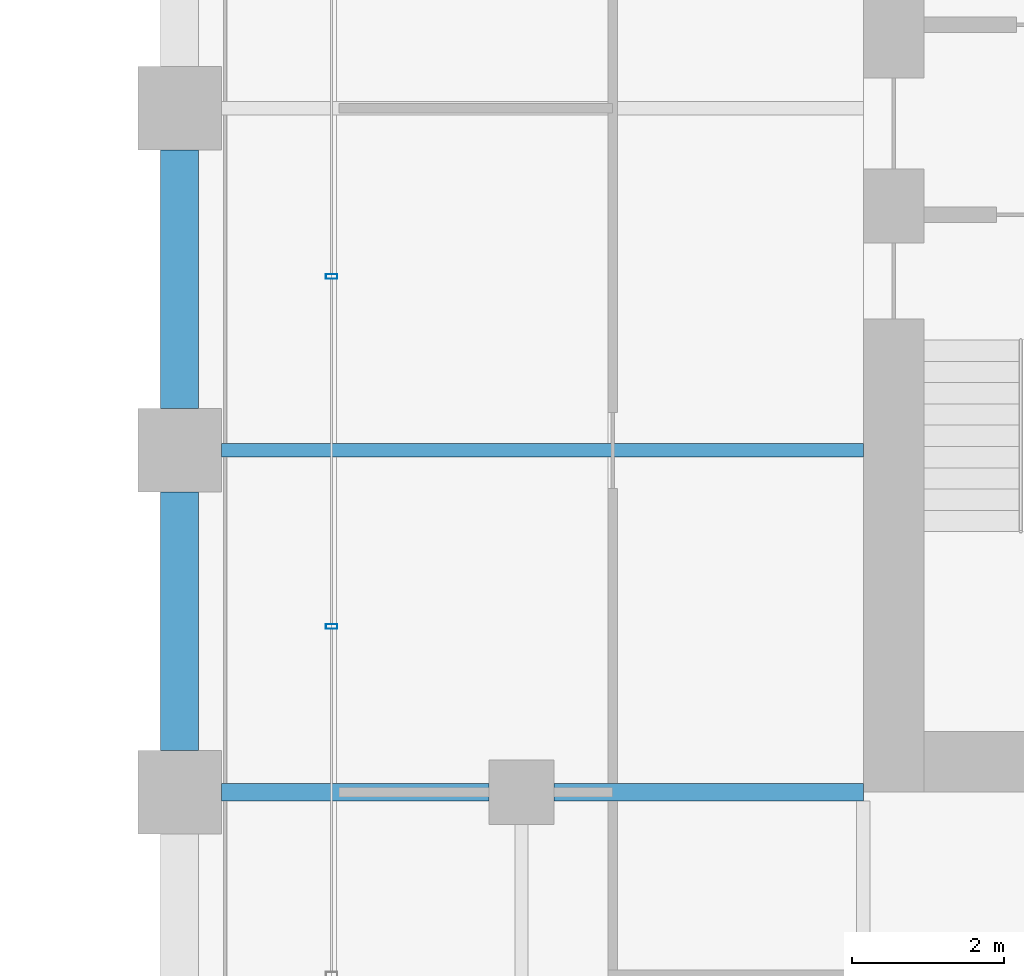
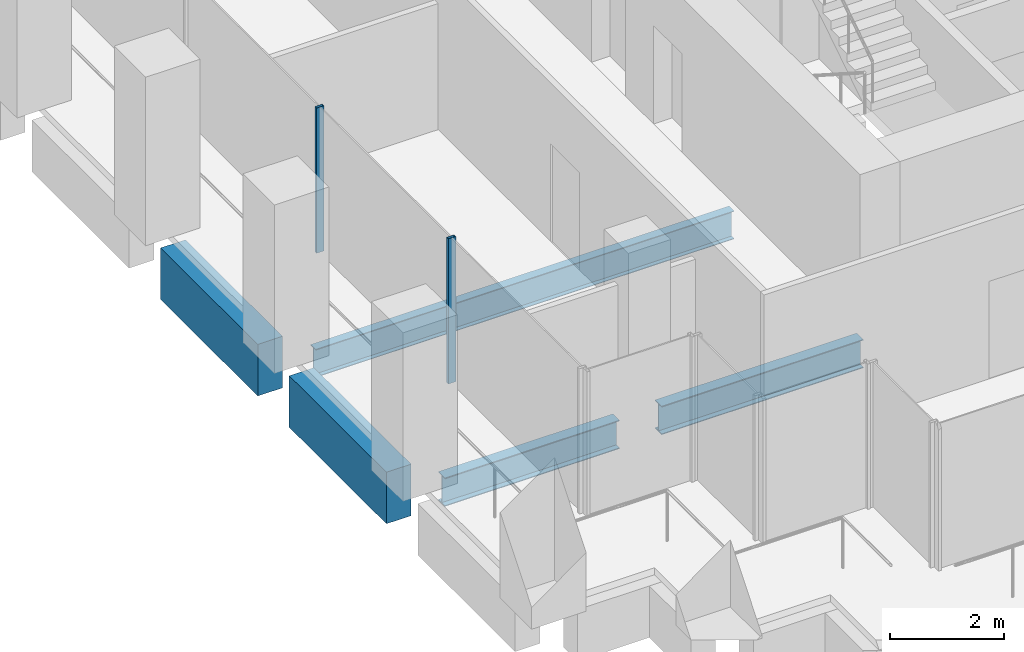
# One storey, part 36 of 56: 5 beams, 2 members, 1 element without a shape of its own.
"""IFC4 building model written with IfcOpenShell, lengths in metres."""

from ifc_helpers import new_model, si_unit, direction, frame, origin, origin_2d, place, context, subcontext, project, spatial, rectangle, hollow_rectangle, i_section, extrude, material, material_profile, profile_set, type_object, element, aggregate, save


model = new_model("IFC4")

# Units and contexts
model_context = context("Model", 3, precision=1e-05, world=origin(), true_north=direction((0.0, 1.0)))
body_context = subcontext(model_context, "Body", "Model", "MODEL_VIEW")
ifc_project = project(units=[si_unit("LENGTHUNIT", "METRE"), si_unit("AREAUNIT", "SQUARE_METRE"), si_unit("VOLUMEUNIT", "CUBIC_METRE"), si_unit("PLANEANGLEUNIT", "RADIAN"), si_unit("MASSUNIT", "GRAM", prefix="KILO")], contexts=[model_context])

# Site, building, storey
site_placement = place(None, origin())
site = spatial("IfcSite", under=ifc_project, at=site_placement, CompositionType="ELEMENT")
building_placement = place(site_placement, origin())
building = spatial("IfcBuilding", under=site, at=building_placement, Name="Altepetl Exchange Towers", CompositionType="ELEMENT")
storey_placement = place(building_placement, frame((0.0, 0.0, 83.39990234375)))
storey = spatial("IfcBuildingStorey", under=building, at=storey_placement, Name="L20", CompositionType="ELEMENT", Elevation=83.39990234375)

# Beams
ifc_material_1 = material(Name="Steel S355", Category="steel")
ifc_material_profile_1 = material_profile(ifc_material_1, i_section(OverallWidth=0.177978515625, OverallDepth=0.59912109375, WebThickness=0.010009765625, FlangeThickness=0.0126953125, at=origin_2d()), Name="W24X55")
ifc_profile_set_1 = profile_set([ifc_material_profile_1], Name="Steel S355")
beam_type_1 = type_object("IfcBeamType", Name="Floor beam W24X55", PredefinedType="BEAM", material=ifc_profile_set_1)
beam_1_placement = place(storey_placement, frame((95.050048828125, 40.5, -0.449462890625), z_axis=(1.0, 0.0, 0.0), x_axis=(0.0, 1.0, 0.0)))
element("IfcBeam", 1, at=beam_1_placement, inside=storey, type_object=beam_type_1, Name="bm:B:L20:012", PredefinedType="BEAM", context=body_context, shape_type="SweptSolid", body=[
    extrude(i_section(OverallWidth=0.177978515625, OverallDepth=0.59912109375, WebThickness=0.010009765625, FlangeThickness=0.0126953125, at=origin_2d()), origin(), (0.0, 0.0, 1.0), 8.449951171875),
])
ifc_material_profile_2 = material_profile(ifc_material_1, i_section(OverallWidth=0.22802734375, OverallDepth=0.60791015625, WebThickness=0.01123046875, FlangeThickness=0.017333984375, at=origin_2d()), Name="W24X76")
ifc_profile_set_2 = profile_set([ifc_material_profile_2], Name="Steel S355")
beam_type_2 = type_object("IfcBeamType", Name="Girder W24X76", PredefinedType="BEAM", material=ifc_profile_set_2)
beam_2_placement = place(storey_placement, frame((103.5, 36.0, -0.453857421875), z_axis=(-1.0, 0.0, 0.0), x_axis=(0.0, -1.0, 0.0)))
element("IfcBeam", 2, at=beam_2_placement, inside=storey, type_object=beam_type_2, Name="gd:B:L20:006", PredefinedType="BEAM", context=body_context, shape_type="SweptSolid", body=[
    extrude(i_section(OverallWidth=0.22802734375, OverallDepth=0.60791015625, WebThickness=0.01123046875, FlangeThickness=0.017333984375, at=origin_2d()), origin(), (0.0, 0.0, 1.0), 4.074951171875),
])
beam_3_placement = place(storey_placement, frame((98.574951171875, 36.0, -0.453857421875), z_axis=(-1.0, 0.0, 0.0), x_axis=(0.0, -1.0, 0.0)))
element("IfcBeam", 3, at=beam_3_placement, inside=storey, type_object=beam_type_2, Name="gd:B:L20:007", PredefinedType="BEAM", context=body_context, shape_type="SweptSolid", body=[
    extrude(i_section(OverallWidth=0.22802734375, OverallDepth=0.60791015625, WebThickness=0.01123046875, FlangeThickness=0.017333984375, at=origin_2d()), origin(), (0.0, 0.0, 1.0), 3.52490234375),
])

# Curtain wall, members
ifc_material_2 = material(Name="Aluminium 6063-T6 glazing", Category="aluminium")
curtain_wall_type = type_object("IfcCurtainWallType", Name="Loggia glazing system", PredefinedType="NOTDEFINED", material=ifc_material_2)
curtain_wall_placement = place(storey_placement, origin())
curtain_wall = element("IfcCurtainWall", 4, at=curtain_wall_placement, inside=storey, type_object=curtain_wall_type, Name="CW1 run", PredefinedType="NOTDEFINED")
ifc_material_3 = material(Name="Aluminium 6063-T6", Category="aluminium")
ifc_material_profile_3 = material_profile(ifc_material_3, hollow_rectangle(XDim=0.06005859375, YDim=0.14990234375, WallThickness=0.0029296875, at=origin_2d()), Name="Mullion 60x150 aluminium")
ifc_profile_set_3 = profile_set([ifc_material_profile_3], Name="Aluminium 6063-T6")
member_type = type_object("IfcMemberType", Name="Mullion 60x150 aluminium", PredefinedType="MULLION", material=ifc_profile_set_3)
member_1_placement = place(storey_placement, frame((96.5, 42.78759765625, 0.0), z_axis=(0.0, 0.0, 1.0), x_axis=(0.0, -1.0, 0.0)))
member_1 = element("IfcMember", 5, at=member_1_placement, type_object=member_type, Name="MU1 mullion", PredefinedType="MULLION", context=body_context, shape_type="SweptSolid", body=[
    extrude(hollow_rectangle(XDim=0.06005859375, YDim=0.14990234375, WallThickness=0.0029296875, at=origin_2d()), origin(), (0.0, 0.0, 1.0), 3.10009765625),
])
member_2_placement = place(storey_placement, frame((96.5, 38.18115234375, 0.0), z_axis=(0.0, 0.0, 1.0), x_axis=(0.0, -1.0, 0.0)))
member_2 = element("IfcMember", 6, at=member_2_placement, type_object=member_type, Name="MU1 mullion", PredefinedType="MULLION", context=body_context, shape_type="SweptSolid", body=[
    extrude(hollow_rectangle(XDim=0.06005859375, YDim=0.14990234375, WallThickness=0.0029296875, at=origin_2d()), origin(), (0.0, 0.0, 1.0), 3.10009765625),
])
aggregate(curtain_wall, [member_1, member_2])

# Beams
ifc_material_4 = material(Name="Concrete C50/60 precast with cantera rosa facing", Category="concrete")
ifc_material_profile_4 = material_profile(ifc_material_4, rectangle(XDim=0.5, YDim=1.10009765625, at=origin_2d()), Name="500 x 1100")
ifc_profile_set_4 = profile_set([ifc_material_profile_4], Name="Concrete C50/60 precast with cantera rosa facing")
beam_type_3 = type_object("IfcBeamType", Name="Spandrel beam 500x1100 cantera rosa", PredefinedType="SPANDREL", material=ifc_profile_set_4)
for number, where, z_axis, x_axis, name in (
    (7, (94.5, 44.449951171875, -0.699951171875), (0.0, -1.0, 0.0), (1.0, 0.0, 0.0), "sp:B:L20:029"),
    (8, (94.5, 39.949951171875, -0.699951171875), (0.0, -1.0, 0.0), (1.0, 0.0, 0.0), "sp:B:L20:030"),
):
    element("IfcBeam", number, at=place(storey_placement, frame(where, z_axis=z_axis, x_axis=x_axis)), inside=storey, type_object=beam_type_3, Name=name, PredefinedType="SPANDREL", context=body_context, shape_type="SweptSolid", body=[
        extrude(rectangle(XDim=0.5, YDim=1.10009765625, at=origin_2d()), origin(), (0.0, 0.0, 1.0), 3.39990234375),
    ])

save(model, "model.ifc")
